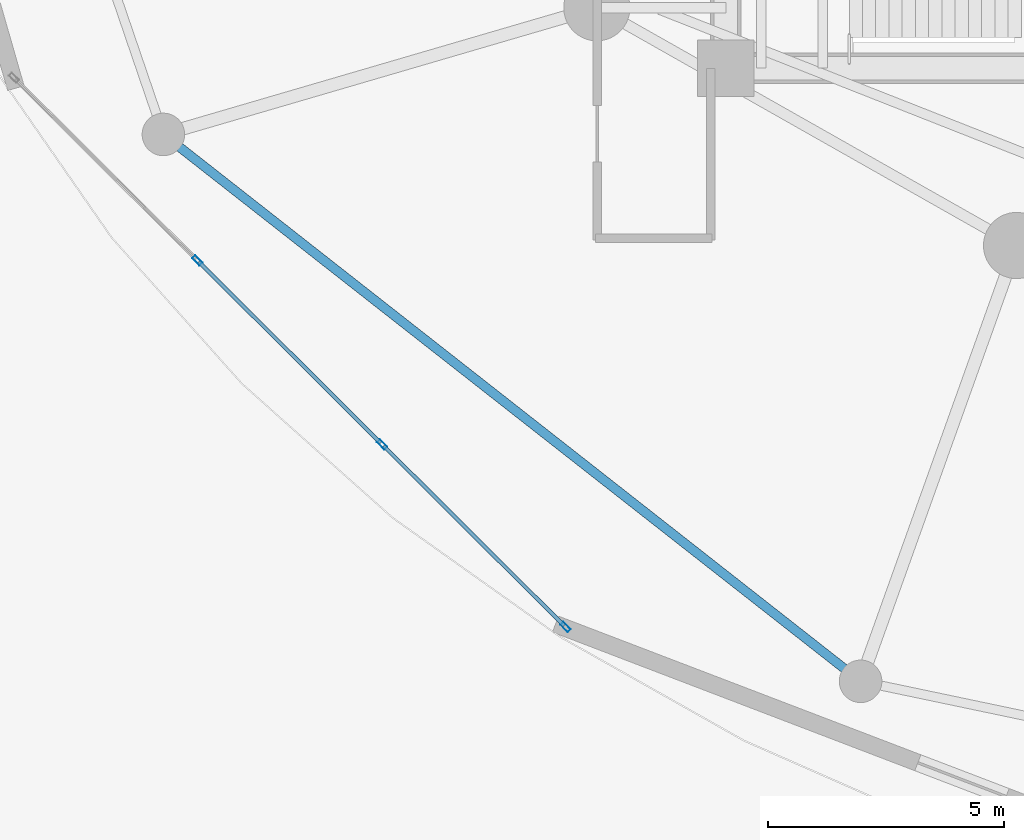
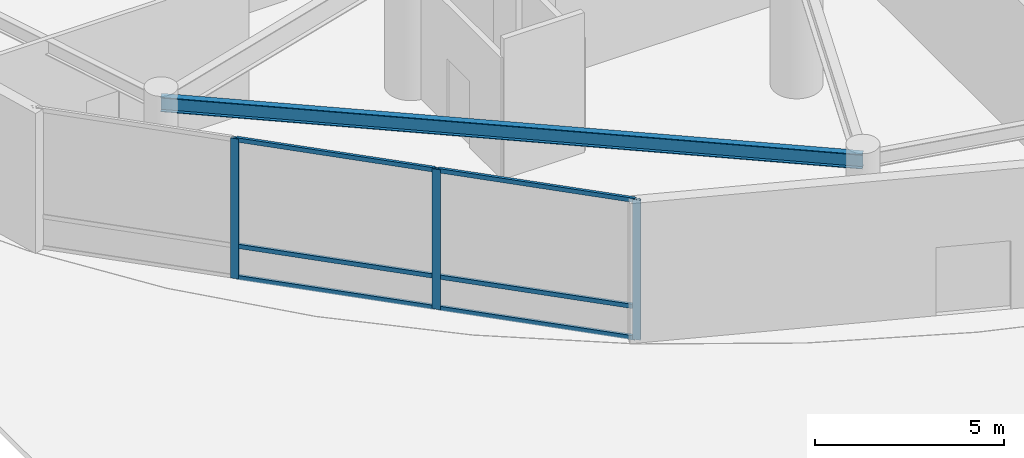
# One storey, part 2 of 35: 9 members, 1 beam, 1 element without a shape of its own.
"""IFC4 building model written with IfcOpenShell, lengths in metres."""

from ifc_helpers import new_model, si_unit, direction, frame, origin, origin_2d, place, context, subcontext, project, spatial, hollow_rectangle, i_section, extrude, material, layer, layer_set, material_profile, profile_set, type_object, element, aggregate, save


model = new_model("IFC4")

# Units and contexts
model_context = context("Model", 3, precision=1e-05, world=origin(), true_north=direction((0.0, 1.0)))
body_context = subcontext(model_context, "Body", "Model", "MODEL_VIEW")
ifc_project = project(units=[si_unit("LENGTHUNIT", "METRE"), si_unit("AREAUNIT", "SQUARE_METRE"), si_unit("VOLUMEUNIT", "CUBIC_METRE"), si_unit("PLANEANGLEUNIT", "RADIAN"), si_unit("MASSUNIT", "GRAM", prefix="KILO")], contexts=[model_context])

# Site, building, storey
site_placement = place(None, origin())
site = spatial("IfcSite", under=ifc_project, at=site_placement, CompositionType="ELEMENT")
building_placement = place(site_placement, origin())
building = spatial("IfcBuilding", under=site, at=building_placement, Name="Kazevale Care Tower and Concert Hall", CompositionType="ELEMENT")
storey_placement = place(building_placement, origin())
storey = spatial("IfcBuildingStorey", under=building, at=storey_placement, Name="L00", CompositionType="ELEMENT", Elevation=0.0)

# Curtain wall, members
ifc_material_1 = material(Name="Aluminium 6063-T6 and Low-E Glass", Category="aluminium")
ifc_layer = layer(ifc_material_1, 0.179931640625)
ifc_layer_set = layer_set([ifc_layer], Name="Aluminium 6063-T6 and Low-E Glass")
curtain_wall_type = type_object("IfcCurtainWallType", Name="Podium Double-Skin Medical Curtain Wall CW-1", PredefinedType="NOTDEFINED", material=ifc_layer_set)
curtain_wall_placement = place(storey_placement, origin())
curtain_wall = element("IfcCurtainWall", 1, at=curtain_wall_placement, inside=storey, type_object=curtain_wall_type, Name="cw:L00:pod:09", PredefinedType="NOTDEFINED")
ifc_material_2 = material(Name="Aluminium 6063-T6", Category="aluminium")
ifc_material_profile_1 = material_profile(ifc_material_2, hollow_rectangle(XDim=0.090087890625, YDim=0.219970703125, WallThickness=0.0048828125, at=origin_2d()), Name="ALU90x220x5")
ifc_profile_set_1 = profile_set([ifc_material_profile_1], Name="Aluminium 6063-T6")
member_type_1 = type_object("IfcMemberType", Name="CW-1 Mullion ALU90x220x5", PredefinedType="MULLION", material=ifc_profile_set_1)
member_1_placement = place(storey_placement, frame((10.817626953125, 19.535400390625, 0.0), z_axis=(0.0, 0.0, 1.0), x_axis=(0.705655814257, 0.708554776856, 0.0)))
member_1 = element("IfcMember", 2, at=member_1_placement, type_object=member_type_1, Name="CW-1 mullion 2", PredefinedType="MULLION", context=body_context, shape_type="SweptSolid", body=[
    extrude(hollow_rectangle(XDim=0.090087890625, YDim=0.219970703125, WallThickness=0.0048828125, at=origin_2d()), origin(), (0.0, 0.0, 1.0), 4.52001953125),
])
member_2_placement = place(storey_placement, frame((14.728271484375, 15.640625, 0.0), z_axis=(0.0, 0.0, 1.0), x_axis=(0.705655814257, 0.708554776856, 0.0)))
member_2 = element("IfcMember", 3, at=member_2_placement, type_object=member_type_1, Name="CW-1 mullion 3", PredefinedType="MULLION", context=body_context, shape_type="SweptSolid", body=[
    extrude(hollow_rectangle(XDim=0.090087890625, YDim=0.219970703125, WallThickness=0.0048828125, at=origin_2d()), origin(), (0.0, 0.0, 1.0), 4.52001953125),
])
member_3_placement = place(storey_placement, frame((18.607177734375, 11.77783203125, 0.0), z_axis=(0.0, 0.0, 1.0), x_axis=(0.705655814257, 0.708554776856, 0.0)))
member_3 = element("IfcMember", 4, at=member_3_placement, type_object=member_type_1, Name="CW-1 mullion 4", PredefinedType="MULLION", context=body_context, shape_type="SweptSolid", body=[
    extrude(hollow_rectangle(XDim=0.090087890625, YDim=0.219970703125, WallThickness=0.0048828125, at=origin_2d()), origin(), (0.0, 0.0, 1.0), 4.52001953125),
])
ifc_material_profile_2 = material_profile(ifc_material_2, hollow_rectangle(XDim=0.080078125, YDim=0.139892578125, WallThickness=0.00390625, at=origin_2d()), Name="ALU80x140x4")
ifc_profile_set_2 = profile_set([ifc_material_profile_2], Name="Aluminium 6063-T6")
member_type_2 = type_object("IfcMemberType", Name="CW-1 Transom ALU80x140x4", PredefinedType="USERDEFINED", material=ifc_profile_set_2)
member_4_placement = place(storey_placement, frame((10.849609375, 19.503662109375, 0.0400390625), z_axis=(0.708544259539, -0.705666374624, 0.0), x_axis=(0.705666374624, 0.708544259539, 0.0)))
member_4 = element("IfcMember", 5, at=member_4_placement, type_object=member_type_2, Name="CW-1 transom 2.1", ObjectType="TRANSOM", PredefinedType="USERDEFINED", context=body_context, shape_type="SweptSolid", body=[
    extrude(hollow_rectangle(XDim=0.080078125, YDim=0.139892578125, WallThickness=0.00390625, at=origin_2d()), origin(), (0.0, 0.0, 1.0), 5.429443359375),
])
member_5_placement = place(storey_placement, frame((10.849609375, 19.503662109375, 1.050048828125), z_axis=(0.708544259539, -0.705666374624, 0.0), x_axis=(0.705666374624, 0.708544259539, 0.0)))
member_5 = element("IfcMember", 6, at=member_5_placement, type_object=member_type_2, Name="CW-1 transom 2.2", ObjectType="TRANSOM", PredefinedType="USERDEFINED", context=body_context, shape_type="SweptSolid", body=[
    extrude(hollow_rectangle(XDim=0.080078125, YDim=0.139892578125, WallThickness=0.00390625, at=origin_2d()), origin(), (0.0, 0.0, 1.0), 5.429443359375),
])
member_6_placement = place(storey_placement, frame((10.849609375, 19.503662109375, 4.47998046875), z_axis=(0.708544259539, -0.705666374624, 0.0), x_axis=(0.705666374624, 0.708544259539, 0.0)))
member_6 = element("IfcMember", 7, at=member_6_placement, type_object=member_type_2, Name="CW-1 transom 2.3", ObjectType="TRANSOM", PredefinedType="USERDEFINED", context=body_context, shape_type="SweptSolid", body=[
    extrude(hollow_rectangle(XDim=0.080078125, YDim=0.139892578125, WallThickness=0.00390625, at=origin_2d()), origin(), (0.0, 0.0, 1.0), 5.429443359375),
])
member_7_placement = place(storey_placement, frame((14.76025390625, 15.60888671875, 0.0400390625), z_axis=(0.708556322862, -0.705654261896, 0.0), x_axis=(0.705654261896, 0.708556322862, 0.0)))
member_7 = element("IfcMember", 8, at=member_7_placement, type_object=member_type_2, Name="CW-1 transom 3.1", ObjectType="TRANSOM", PredefinedType="USERDEFINED", context=body_context, shape_type="SweptSolid", body=[
    extrude(hollow_rectangle(XDim=0.080078125, YDim=0.139892578125, WallThickness=0.00390625, at=origin_2d()), origin(), (0.0, 0.0, 1.0), 5.384033203125),
])
member_8_placement = place(storey_placement, frame((14.76025390625, 15.60888671875, 1.050048828125), z_axis=(0.708556322862, -0.705654261896, 0.0), x_axis=(0.705654261896, 0.708556322862, 0.0)))
member_8 = element("IfcMember", 9, at=member_8_placement, type_object=member_type_2, Name="CW-1 transom 3.2", ObjectType="TRANSOM", PredefinedType="USERDEFINED", context=body_context, shape_type="SweptSolid", body=[
    extrude(hollow_rectangle(XDim=0.080078125, YDim=0.139892578125, WallThickness=0.00390625, at=origin_2d()), origin(), (0.0, 0.0, 1.0), 5.384033203125),
])
member_9_placement = place(storey_placement, frame((14.76025390625, 15.60888671875, 4.47998046875), z_axis=(0.708556322862, -0.705654261896, 0.0), x_axis=(0.705654261896, 0.708556322862, 0.0)))
member_9 = element("IfcMember", 10, at=member_9_placement, type_object=member_type_2, Name="CW-1 transom 3.3", ObjectType="TRANSOM", PredefinedType="USERDEFINED", context=body_context, shape_type="SweptSolid", body=[
    extrude(hollow_rectangle(XDim=0.080078125, YDim=0.139892578125, WallThickness=0.00390625, at=origin_2d()), origin(), (0.0, 0.0, 1.0), 5.384033203125),
])
aggregate(curtain_wall, [member_1, member_2, member_3, member_4, member_5, member_6, member_7, member_8, member_9])

# Beam
ifc_material_3 = material(Name="Steel ASTM A572 Gr 50", Category="steel")
ifc_material_profile_3 = material_profile(ifc_material_3, i_section(OverallWidth=0.194091796875, OverallDepth=0.468994140625, WebThickness=0.0126953125, FlangeThickness=0.0205078125, at=origin_2d()), Name="W460x106")
ifc_profile_set_3 = profile_set([ifc_material_profile_3], Name="Steel ASTM A572 Gr 50")
beam_type = type_object("IfcBeamType", Name="Podium Floor Beam W460x106", PredefinedType="BEAM", material=ifc_profile_set_3)
beam_placement = place(storey_placement, frame((10.10009765625, 22.199951171875, 4.285400390625), z_axis=(0.786816091325, -0.617187522907, 0.0), x_axis=(0.617187522907, 0.786816091325, 0.0)))
element("IfcBeam", 11, at=beam_placement, inside=storey, type_object=beam_type, Name="beam:L00:podring:08", PredefinedType="BEAM", context=body_context, shape_type="SweptSolid", body=[
    extrude(i_section(OverallWidth=0.194091796875, OverallDepth=0.468994140625, WebThickness=0.0126953125, FlangeThickness=0.0205078125, at=origin_2d()), origin(), (0.0, 0.0, 1.0), 18.746337890625),
])

save(model, "model.ifc")
